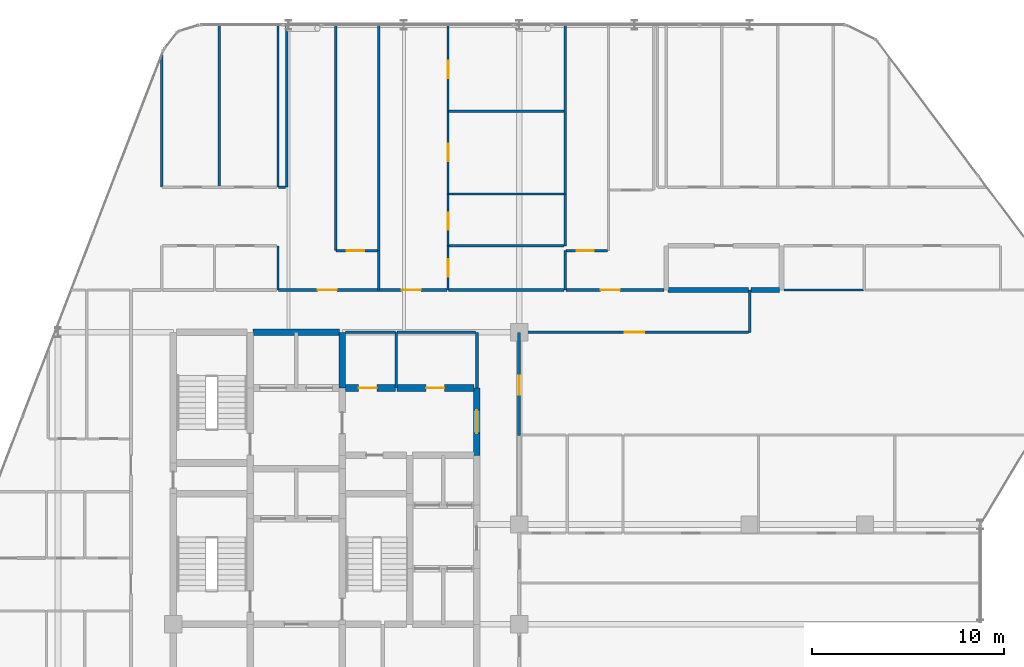
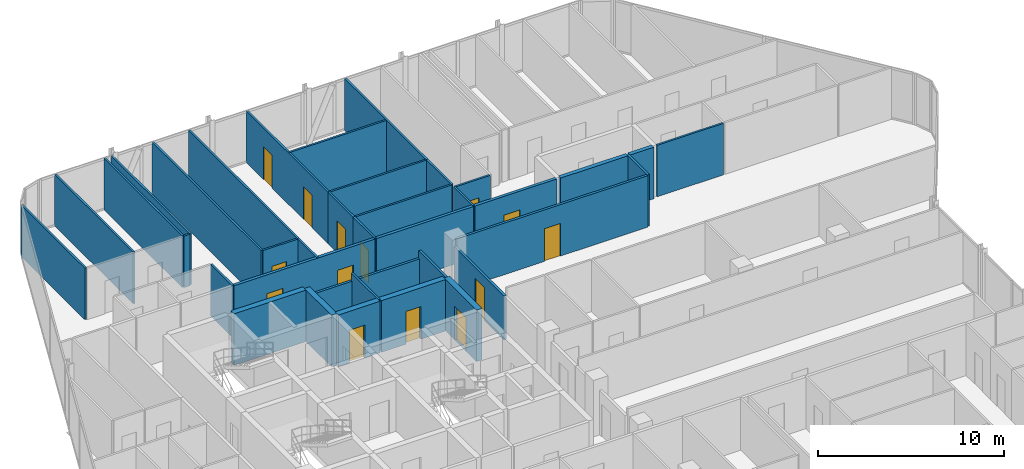
# One storey, part 29 of 31: 38 walls, 14 doors, 14 openings.
"""IFC4 building model written with IfcOpenShell, lengths in metres."""

from ifc_helpers import new_model, si_unit, direction, frame, frame_2d, origin, place, context, subcontext, project, spatial, rectangle, extrude, material, layer, layer_set, type_object, element, fill, save


model = new_model("IFC4")

# Units and contexts
model_context = context("Model", 3, precision=1e-05, world=origin(), true_north=direction((0.0, 1.0)))
body_context = subcontext(model_context, "Body", "Model", "MODEL_VIEW")
ifc_project = project(units=[si_unit("LENGTHUNIT", "METRE"), si_unit("AREAUNIT", "SQUARE_METRE"), si_unit("VOLUMEUNIT", "CUBIC_METRE"), si_unit("PLANEANGLEUNIT", "RADIAN"), si_unit("MASSUNIT", "GRAM", prefix="KILO")], contexts=[model_context])

# Site, building, storey
site_placement = place(None, origin())
site = spatial("IfcSite", under=ifc_project, at=site_placement, CompositionType="ELEMENT")
building_placement = place(site_placement, origin())
building = spatial("IfcBuilding", under=site, at=building_placement, Name="Keshet Zoharim Tower", CompositionType="ELEMENT")
storey_placement = place(building_placement, frame((0.0, 0.0, 129.800048828125)))
storey = spatial("IfcBuildingStorey", under=building, at=storey_placement, Name="L31", CompositionType="ELEMENT", Elevation=129.800048828125)

# Wall
ifc_material_1 = material(Name="Gypsum Plasterboard", Category="gypsum")
ifc_layer_1 = layer(ifc_material_1, 0.14990234375)
ifc_layer_set_1 = layer_set([ifc_layer_1], Name="Gypsum Plasterboard")
wall_type_1 = type_object("IfcWallType", Name="WL-CLIN-150", PredefinedType="STANDARD", material=ifc_layer_set_1)
wall_1_placement = place(storey_placement, frame((30.800048828125, 35.0, 0.0), z_axis=(0.0, 0.0, 1.0), x_axis=(0.0, 1.0, 0.0)))
element("IfcWall", 1, at=wall_1_placement, inside=storey, type_object=wall_type_1, Name="L31 Interior Wall 063", PredefinedType="STANDARD", context=body_context, shape_type="SweptSolid", body=[
    extrude(rectangle(XDim=2.89990234375, YDim=0.14990234375, at=frame_2d((1.449951171875, 0.0))), origin(), (0.0, 0.0, 1.0), 3.385009765625),
])

# Wall, opening, door
wall_2_placement = place(storey_placement, frame((33.0, 32.5400390625, 0.0), z_axis=(0.0, 0.0, 1.0), x_axis=(0.0, 1.0, 0.0)))
wall_2 = element("IfcWall", 2, at=wall_2_placement, inside=storey, type_object=wall_type_1, Name="L31 Interior Wall 070", PredefinedType="STANDARD", context=body_context, shape_type="SweptSolid", body=[
    extrude(rectangle(XDim=5.35986328125, YDim=0.14990234375, at=frame_2d((2.679931640625, 0.0))), origin(), (0.0, 0.0, 1.0), 2.885009765625),
])
opening_1_placement = place(wall_2_placement, frame((2.10888671875, 0.0, 0.0)))
opening_1 = element("IfcOpeningElement", 3, at=opening_1_placement, cuts=wall_2, Name="Opening D-F310", PredefinedType="OPENING", context=body_context, shape_type="SweptSolid", body=[
    extrude(rectangle(XDim=1.0, YDim=2.14990234375, at=frame_2d((0.5, 1.074951171875))), frame((0.0, 0.0849609375, 0.0), z_axis=(0.0, -1.0, 0.0), x_axis=(1.0, 0.0, 0.0)), (0.0, 0.0, 1.0), 0.169921875),
])
ifc_material_2 = material(Name="Hardwood Timber", Category="wood")
door_type_1 = type_object("IfcDoorType", Name="DR-FD30-100", OperationType="NOTDEFINED", PredefinedType="DOOR", material=ifc_material_2)
door_1_placement = place(opening_1_placement, origin())
door_1 = element("IfcDoor", 4, at=door_1_placement, inside=storey, type_object=door_type_1, Name="L31 North East Residents Services Suite Door 2", OperationType="SINGLE_SWING_LEFT", OverallHeight=2.14990234375, OverallWidth=1.0, PredefinedType="DOOR", context=body_context, shape_type="SweptSolid", body=[
    extrude(rectangle(XDim=1.0, YDim=2.14990234375, at=frame_2d((0.5, 1.074951171875))), frame((0.0, 0.02490234375, 0.0), z_axis=(0.0, -1.0, 0.0), x_axis=(1.0, 0.0, 0.0)), (0.0, 0.0, 1.0), 0.050048828125),
])
fill(opening_1, door_1)

# Walls
wall_3_placement = place(storey_placement, frame((45.0, 37.89990234375, 0.0), z_axis=(0.0, 0.0, 1.0), x_axis=(0.0, 1.0, 0.0)))
element("IfcWall", 5, at=wall_3_placement, inside=storey, type_object=wall_type_1, Name="L31 Interior Wall 091", PredefinedType="STANDARD", context=body_context, shape_type="SweptSolid", body=[
    extrude(rectangle(XDim=2.2001953125, YDim=0.14990234375, at=frame_2d((1.10009765625, 0.0))), origin(), (0.0, 0.0, 1.0), 3.385009765625),
])
wall_4_placement = place(storey_placement, frame((23.9599609375, 37.89990234375, 0.0), z_axis=(0.0, 0.0, 1.0), x_axis=(1.0, 0.0, 0.0)))
element("IfcWall", 6, at=wall_4_placement, inside=storey, type_object=wall_type_1, Name="L31 Interior Wall 179", PredefinedType="STANDARD", context=body_context, shape_type="SweptSolid", body=[
    extrude(rectangle(XDim=2.594970703125, YDim=0.14990234375, at=frame_2d((1.29736328125, 0.0))), origin(), (0.0, 0.0, 1.0), 2.885009765625),
])
wall_5_placement = place(storey_placement, frame((26.64501953125, 37.89990234375, 0.0), z_axis=(0.0, 0.0, 1.0), x_axis=(1.0, 0.0, 0.0)))
element("IfcWall", 7, at=wall_5_placement, inside=storey, type_object=wall_type_1, Name="L31 Interior Wall 180", PredefinedType="STANDARD", context=body_context, shape_type="SweptSolid", body=[
    extrude(rectangle(XDim=4.094970703125, YDim=0.14990234375, at=frame_2d((2.04736328125, 0.0))), origin(), (0.0, 0.0, 1.0), 2.885009765625),
])

# Wall, opening, door
wall_6_placement = place(storey_placement, frame((33.06005859375, 37.89990234375, 0.0), z_axis=(0.0, 0.0, 1.0), x_axis=(1.0, 0.0, 0.0)))
wall_6 = element("IfcWall", 8, at=wall_6_placement, inside=storey, type_object=wall_type_1, Name="L31 Interior Wall 181", PredefinedType="STANDARD", context=body_context, shape_type="SweptSolid", body=[
    extrude(rectangle(XDim=11.87890625, YDim=0.14990234375, at=frame_2d((5.939453125, 0.0))), origin(), (0.0, 0.0, 1.0), 3.385009765625),
])
opening_2_placement = place(wall_6_placement, frame((5.43896484375, 0.0, 0.0)))
opening_2 = element("IfcOpeningElement", 9, at=opening_2_placement, cuts=wall_6, Name="Opening D-F310", PredefinedType="OPENING", context=body_context, shape_type="SweptSolid", body=[
    extrude(rectangle(XDim=1.0, YDim=2.14990234375, at=frame_2d((0.5, 1.074951171875))), frame((0.0, 0.0849609375, 0.0), z_axis=(0.0, -1.0, 0.0), x_axis=(1.0, 0.0, 0.0)), (0.0, 0.0, 1.0), 0.169921875),
])
door_2_placement = place(opening_2_placement, origin())
door_2 = element("IfcDoor", 10, at=door_2_placement, inside=storey, type_object=door_type_1, Name="L31 North East Residents Services Suite Door 1", OperationType="SINGLE_SWING_RIGHT", OverallHeight=2.14990234375, OverallWidth=1.0, PredefinedType="DOOR", context=body_context, shape_type="SweptSolid", body=[
    extrude(rectangle(XDim=1.0, YDim=2.14990234375, at=frame_2d((0.5, 1.074951171875))), frame((0.0, 0.02490234375, 0.0), z_axis=(0.0, -1.0, 0.0), x_axis=(1.0, 0.0, 0.0)), (0.0, 0.0, 1.0), 0.050048828125),
])
fill(opening_2, door_2)

# Wall
ifc_material_3 = material(Name="Concrete C60/75", Category="concrete")
ifc_layer_2 = layer(ifc_material_3, 0.35009765625)
ifc_layer_set_2 = layer_set([ifc_layer_2], Name="Concrete C60/75")
wall_type_2 = type_object("IfcWallType", Name="WL-CORE-350", PredefinedType="SHEAR", material=ifc_layer_set_2)
wall_7_placement = place(storey_placement, frame((23.800048828125, 35.0, 0.0), z_axis=(0.0, 0.0, 1.0), x_axis=(0.0, 1.0, 0.0)))
element("IfcWall", 11, at=wall_7_placement, inside=storey, type_object=wall_type_2, Name="L31 Core Shear Wall 043", PredefinedType="SHEAR", context=body_context, shape_type="SweptSolid", body=[
    extrude(rectangle(XDim=2.89990234375, YDim=0.35009765625, at=frame_2d((1.449951171875, 0.0))), origin(), (0.0, 0.0, 1.0), 3.385009765625),
])

# Wall, opening, door
wall_8_placement = place(storey_placement, frame((30.800048828125, 31.5, 0.0), z_axis=(0.0, 0.0, 1.0), x_axis=(0.0, 1.0, 0.0)))
wall_8 = element("IfcWall", 12, at=wall_8_placement, inside=storey, type_object=wall_type_2, Name="L31 Core Shear Wall 062", PredefinedType="SHEAR", context=body_context, shape_type="SweptSolid", body=[
    extrude(rectangle(XDim=3.5, YDim=0.35009765625, at=frame_2d((1.75, 0.0))), origin(), (0.0, 0.0, 1.0), 3.385009765625),
])
opening_3_placement = place(wall_8_placement, frame((1.14990234375, 0.0, 0.0)))
opening_3 = element("IfcOpeningElement", 13, at=opening_3_placement, cuts=wall_8, Name="Opening D-F612", PredefinedType="OPENING", context=body_context, shape_type="SweptSolid", body=[
    extrude(rectangle(XDim=1.199951171875, YDim=2.199951171875, at=frame_2d((0.60009765625, 1.10009765625))), frame((0.0, 0.18505859375, 0.0), z_axis=(0.0, -1.0, 0.0), x_axis=(1.0, 0.0, 0.0)), (0.0, 0.0, 1.0), 0.3701171875),
])
door_type_2 = type_object("IfcDoorType", Name="DR-FD60-120", OperationType="NOTDEFINED", PredefinedType="DOOR", material=ifc_material_2)
door_3_placement = place(opening_3_placement, origin())
door_3 = element("IfcDoor", 14, at=door_3_placement, inside=storey, type_object=door_type_2, Name="L31 North Lift Lobby East Fire Door", OperationType="SINGLE_SWING_RIGHT", OverallHeight=2.199951171875, OverallWidth=1.199951171875, PredefinedType="DOOR", context=body_context, shape_type="SweptSolid", body=[
    extrude(rectangle(XDim=1.199951171875, YDim=2.199951171875, at=frame_2d((0.60009765625, 1.10009765625))), frame((0.0, 0.02490234375, 0.0), z_axis=(0.0, -1.0, 0.0), x_axis=(1.0, 0.0, 0.0)), (0.0, 0.0, 1.0), 0.050048828125),
])
fill(opening_3, door_3)

wall_9_placement = place(storey_placement, frame((23.9599609375, 35.0, 0.0), z_axis=(0.0, 0.0, 1.0), x_axis=(1.0, 0.0, 0.0)))
wall_9 = element("IfcWall", 15, at=wall_9_placement, inside=storey, type_object=wall_type_2, Name="L31 Core Shear Wall 175", PredefinedType="SHEAR", context=body_context, shape_type="SweptSolid", body=[
    extrude(rectangle(XDim=2.594970703125, YDim=0.35009765625, at=frame_2d((1.29736328125, 0.0))), origin(), (0.0, 0.0, 1.0), 3.385009765625),
])
opening_4_placement = place(wall_9_placement, frame((0.69091796875, 0.0, 0.0)))
opening_4 = element("IfcOpeningElement", 16, at=opening_4_placement, cuts=wall_9, Name="Opening D-F695", PredefinedType="OPENING", context=body_context, shape_type="SweptSolid", body=[
    extrude(rectangle(XDim=0.949951171875, YDim=2.14990234375, at=frame_2d((0.47509765625, 1.074951171875))), frame((0.0, 0.18505859375, 0.0), z_axis=(0.0, -1.0, 0.0), x_axis=(1.0, 0.0, 0.0)), (0.0, 0.0, 1.0), 0.3701171875),
])
door_type_3 = type_object("IfcDoorType", Name="DR-FD60-095", OperationType="NOTDEFINED", PredefinedType="DOOR", material=ifc_material_2)
door_4_placement = place(opening_4_placement, frame((0.949951171875, 0.0, 0.0), z_axis=(0.0, 0.0, 1.0), x_axis=(-1.0, 0.0, 0.0)))
door_4 = element("IfcDoor", 17, at=door_4_placement, inside=storey, type_object=door_type_3, Name="L31 Laundry Room Door", OperationType="SINGLE_SWING_RIGHT", OverallHeight=2.14990234375, OverallWidth=0.949951171875, PredefinedType="DOOR", context=body_context, shape_type="SweptSolid", body=[
    extrude(rectangle(XDim=0.949951171875, YDim=2.14990234375, at=frame_2d((0.47509765625, 1.074951171875))), frame((0.0, 0.02490234375, 0.0), z_axis=(0.0, -1.0, 0.0), x_axis=(1.0, 0.0, 0.0)), (0.0, 0.0, 1.0), 0.050048828125),
])
fill(opening_4, door_4)

wall_10_placement = place(storey_placement, frame((26.64501953125, 35.0, 0.0), z_axis=(0.0, 0.0, 1.0), x_axis=(1.0, 0.0, 0.0)))
wall_10 = element("IfcWall", 18, at=wall_10_placement, inside=storey, type_object=wall_type_2, Name="L31 Core Shear Wall 176", PredefinedType="SHEAR", context=body_context, shape_type="SweptSolid", body=[
    extrude(rectangle(XDim=3.994873046875, YDim=0.35009765625, at=frame_2d((1.99755859375, 0.0))), origin(), (0.0, 0.0, 1.0), 3.385009765625),
])
opening_5_placement = place(wall_10_placement, frame((1.508056640625, 0.0, 0.0)))
opening_5 = element("IfcOpeningElement", 19, at=opening_5_placement, cuts=wall_10, Name="Opening D-F695", PredefinedType="OPENING", context=body_context, shape_type="SweptSolid", body=[
    extrude(rectangle(XDim=0.949951171875, YDim=2.14990234375, at=frame_2d((0.47509765625, 1.074951171875))), frame((0.0, 0.18505859375, 0.0), z_axis=(0.0, -1.0, 0.0), x_axis=(1.0, 0.0, 0.0)), (0.0, 0.0, 1.0), 0.3701171875),
])
door_5_placement = place(opening_5_placement, frame((0.949951171875, 0.0, 0.0), z_axis=(0.0, 0.0, 1.0), x_axis=(-1.0, 0.0, 0.0)))
door_5 = element("IfcDoor", 20, at=door_5_placement, inside=storey, type_object=door_type_3, Name="L31 Quiet Study Room Door", OperationType="SINGLE_SWING_LEFT", OverallHeight=2.14990234375, OverallWidth=0.949951171875, PredefinedType="DOOR", context=body_context, shape_type="SweptSolid", body=[
    extrude(rectangle(XDim=0.949951171875, YDim=2.14990234375, at=frame_2d((0.47509765625, 1.074951171875))), frame((0.0, 0.02490234375, 0.0), z_axis=(0.0, -1.0, 0.0), x_axis=(1.0, 0.0, 0.0)), (0.0, 0.0, 1.0), 0.050048828125),
])
fill(opening_5, door_5)

# Wall
wall_11_placement = place(storey_placement, frame((19.159912109375, 37.89990234375, 0.0), z_axis=(0.0, 0.0, 1.0), x_axis=(1.0, 0.0, 0.0)))
element("IfcWall", 21, at=wall_11_placement, inside=storey, type_object=wall_type_2, Name="L31 Core Shear Wall 178", PredefinedType="SHEAR", context=body_context, shape_type="SweptSolid", body=[
    extrude(rectangle(XDim=4.47998046875, YDim=0.35009765625, at=frame_2d((2.239990234375, 0.0))), origin(), (0.0, 0.0, 1.0), 3.385009765625),
])

# Wall, openings, doors
ifc_layer_3 = layer(ifc_material_1, 0.179931640625)
ifc_layer_set_3 = layer_set([ifc_layer_3], Name="Gypsum Plasterboard")
wall_type_3 = type_object("IfcWallType", Name="WL-CORR-180", PredefinedType="STANDARD", material=ifc_layer_set_3)
wall_12_placement = place(storey_placement, frame((20.47509765625, 40.10009765625, 0.0), z_axis=(0.0, 0.0, 1.0), x_axis=(1.0, 0.0, 0.0)))
wall_12 = element("IfcWall", 22, at=wall_12_placement, inside=storey, type_object=wall_type_3, Name="L31 Interior Wall 187", PredefinedType="STANDARD", context=body_context, shape_type="SweptSolid", body=[
    extrude(rectangle(XDim=8.760009765625, YDim=0.179931640625, at=frame_2d((4.3798828125, 0.0))), origin(), (0.0, 0.0, 1.0), 3.385009765625),
])
opening_6_placement = place(wall_12_placement, frame((2.034912109375, 0.0, 0.0)))
opening_6 = element("IfcOpeningElement", 23, at=opening_6_placement, cuts=wall_12, Name="Opening D-F310", PredefinedType="OPENING", context=body_context, shape_type="SweptSolid", body=[
    extrude(rectangle(XDim=1.0, YDim=2.14990234375, at=frame_2d((0.5, 1.074951171875))), frame((0.0, 0.10009765625, 0.0), z_axis=(0.0, -1.0, 0.0), x_axis=(1.0, 0.0, 0.0)), (0.0, 0.0, 1.0), 0.199951171875),
])
opening_7_placement = place(wall_12_placement, frame((6.408935546875, 0.0, 0.0)))
opening_7 = element("IfcOpeningElement", 24, at=opening_7_placement, cuts=wall_12, Name="Opening D-F310", PredefinedType="OPENING", context=body_context, shape_type="SweptSolid", body=[
    extrude(rectangle(XDim=1.0, YDim=2.14990234375, at=frame_2d((0.5, 1.074951171875))), frame((0.0, 0.10009765625, 0.0), z_axis=(0.0, -1.0, 0.0), x_axis=(1.0, 0.0, 0.0)), (0.0, 0.0, 1.0), 0.199951171875),
])
door_6_placement = place(opening_6_placement, origin())
door_6 = element("IfcDoor", 25, at=door_6_placement, inside=storey, type_object=door_type_1, Name="Apartment 3105 Entrance Door", OperationType="SINGLE_SWING_LEFT", OverallHeight=2.14990234375, OverallWidth=1.0, PredefinedType="DOOR", context=body_context, shape_type="SweptSolid", body=[
    extrude(rectangle(XDim=1.0, YDim=2.14990234375, at=frame_2d((0.5, 1.074951171875))), frame((0.0, 0.02490234375, 0.0), z_axis=(0.0, -1.0, 0.0), x_axis=(1.0, 0.0, 0.0)), (0.0, 0.0, 1.0), 0.050048828125),
])
fill(opening_6, door_6)
door_7_placement = place(opening_7_placement, origin())
door_7 = element("IfcDoor", 26, at=door_7_placement, inside=storey, type_object=door_type_1, Name="Apartment 3106 Entrance Door", OperationType="SINGLE_SWING_RIGHT", OverallHeight=2.14990234375, OverallWidth=1.0, PredefinedType="DOOR", context=body_context, shape_type="SweptSolid", body=[
    extrude(rectangle(XDim=1.0, YDim=2.14990234375, at=frame_2d((0.5, 1.074951171875))), frame((0.0, 0.02490234375, 0.0), z_axis=(0.0, -1.0, 0.0), x_axis=(1.0, 0.0, 0.0)), (0.0, 0.0, 1.0), 0.050048828125),
])
fill(opening_7, door_7)

# Wall
wall_13_placement = place(storey_placement, frame((29.324951171875, 40.10009765625, 0.0), z_axis=(0.0, 0.0, 1.0), x_axis=(1.0, 0.0, 0.0)))
element("IfcWall", 27, at=wall_13_placement, inside=storey, type_object=wall_type_3, Name="L31 Interior Wall 188", PredefinedType="STANDARD", context=body_context, shape_type="SweptSolid", body=[
    extrude(rectangle(XDim=6.02001953125, YDim=0.179931640625, at=frame_2d((3.010009765625, 0.0))), origin(), (0.0, 0.0, 1.0), 3.385009765625),
])

# Wall, opening, door
wall_14_placement = place(storey_placement, frame((35.43505859375, 40.10009765625, 0.0), z_axis=(0.0, 0.0, 1.0), x_axis=(1.0, 0.0, 0.0)))
wall_14 = element("IfcWall", 28, at=wall_14_placement, inside=storey, type_object=wall_type_3, Name="L31 Interior Wall 189", PredefinedType="STANDARD", context=body_context, shape_type="SweptSolid", body=[
    extrude(rectangle(XDim=5.094970703125, YDim=0.179931640625, at=frame_2d((2.54736328125, 0.0))), origin(), (0.0, 0.0, 1.0), 3.385009765625),
])
opening_8_placement = place(wall_14_placement, frame((1.806884765625, 0.0, 0.0)))
opening_8 = element("IfcOpeningElement", 29, at=opening_8_placement, cuts=wall_14, Name="Opening D-F310", PredefinedType="OPENING", context=body_context, shape_type="SweptSolid", body=[
    extrude(rectangle(XDim=1.0, YDim=2.14990234375, at=frame_2d((0.5, 1.074951171875))), frame((0.0, 0.10009765625, 0.0), z_axis=(0.0, -1.0, 0.0), x_axis=(1.0, 0.0, 0.0)), (0.0, 0.0, 1.0), 0.199951171875),
])
door_8_placement = place(opening_8_placement, origin())
door_8 = element("IfcDoor", 30, at=door_8_placement, inside=storey, type_object=door_type_1, Name="Apartment 3107 Entrance Door", OperationType="SINGLE_SWING_LEFT", OverallHeight=2.14990234375, OverallWidth=1.0, PredefinedType="DOOR", context=body_context, shape_type="SweptSolid", body=[
    extrude(rectangle(XDim=1.0, YDim=2.14990234375, at=frame_2d((0.5, 1.074951171875))), frame((0.0, 0.02490234375, 0.0), z_axis=(0.0, -1.0, 0.0), x_axis=(1.0, 0.0, 0.0)), (0.0, 0.0, 1.0), 0.050048828125),
])
fill(opening_8, door_8)

# Walls
ifc_material_4 = material(Name="Concrete C50/60", Category="concrete")
ifc_layer_4 = layer(ifc_material_4, 0.25)
ifc_layer_set_4 = layer_set([ifc_layer_4], Name="Concrete C50/60")
wall_type_4 = type_object("IfcWallType", Name="WL-MAMAD-250", PredefinedType="STANDARD", material=ifc_layer_set_4)
wall_15_placement = place(storey_placement, frame((40.75, 40.10009765625, 0.0), z_axis=(0.0, 0.0, 1.0), x_axis=(1.0, 0.0, 0.0)))
element("IfcWall", 31, at=wall_15_placement, inside=storey, type_object=wall_type_4, Name="L31 Interior Wall 190", PredefinedType="STANDARD", context=body_context, shape_type="SweptSolid", body=[
    extrude(rectangle(XDim=4.18994140625, YDim=0.25, at=frame_2d((2.094970703125, 0.0))), origin(), (0.0, 0.0, 1.0), 3.385009765625),
])
wall_16_placement = place(storey_placement, frame((45.06005859375, 40.10009765625, 0.0), z_axis=(0.0, 0.0, 1.0), x_axis=(1.0, 0.0, 0.0)))
element("IfcWall", 32, at=wall_16_placement, inside=storey, type_object=wall_type_4, Name="L31 Interior Wall 191", PredefinedType="STANDARD", context=body_context, shape_type="SweptSolid", body=[
    extrude(rectangle(XDim=1.489990234375, YDim=0.25, at=frame_2d((0.7451171875, 0.0))), origin(), (0.0, 0.0, 1.0), 3.385009765625),
])
ifc_layer_5 = layer(ifc_material_1, 0.1201171875)
ifc_layer_set_5 = layer_set([ifc_layer_5], Name="Gypsum Plasterboard")
wall_type_5 = type_object("IfcWallType", Name="WL-PART-120", PredefinedType="PARTITIONING", material=ifc_layer_set_5)
wall_17_placement = place(storey_placement, frame((14.39990234375, 45.449951171875, 0.0), z_axis=(0.0, 0.0, 1.0), x_axis=(0.0, 1.0, 0.0)))
element("IfcWall", 33, at=wall_17_placement, inside=storey, type_object=wall_type_5, Name="L31 Interior Wall 014", PredefinedType="PARTITIONING", context=body_context, shape_type="SweptSolid", body=[
    extrude(rectangle(XDim=6.880126953125, YDim=0.1201171875, at=frame_2d((3.43994140625, 0.0))), origin(), (0.0, 0.0, 1.0), 3.385009765625),
])
for number, where, z_axis, x_axis, name in (
    (34, (17.39990234375, 45.449951171875, 0.0), (0.0, 0.0, 1.0), (0.0, 1.0, 0.0), "L31 Interior Wall 022"),
    (35, (20.449951171875, 45.449951171875, 0.0), (0.0, 0.0, 1.0), (0.0, 1.0, 0.0), "L31 Interior Wall 031"),
    (36, (20.89990234375, 45.449951171875, 0.0), (0.0, 0.0, 1.0), (0.0, 1.0, 0.0), "L31 Interior Wall 032"),
):
    element("IfcWall", number, at=place(storey_placement, frame(where, z_axis=z_axis, x_axis=x_axis)), inside=storey, type_object=wall_type_5, Name=name, PredefinedType="PARTITIONING", context=body_context, shape_type="SweptSolid", body=[
        extrude(rectangle(XDim=8.43994140625, YDim=0.1201171875, at=frame_2d((4.219970703125, 0.0))), origin(), (0.0, 0.0, 1.0), 3.385009765625),
    ])
wall_18_placement = place(storey_placement, frame((23.449951171875, 42.14990234375, 0.0), z_axis=(0.0, 0.0, 1.0), x_axis=(0.0, 1.0, 0.0)))
element("IfcWall", 37, at=wall_18_placement, inside=storey, type_object=wall_type_5, Name="L31 Interior Wall 036", PredefinedType="PARTITIONING", context=body_context, shape_type="SweptSolid", body=[
    extrude(rectangle(XDim=11.739990234375, YDim=0.1201171875, at=frame_2d((5.8701171875, 0.0))), origin(), (0.0, 0.0, 1.0), 3.385009765625),
])
wall_19_placement = place(storey_placement, frame((25.699951171875, 40.10009765625, 0.0), z_axis=(0.0, 0.0, 1.0), x_axis=(0.0, 1.0, 0.0)))
element("IfcWall", 38, at=wall_19_placement, inside=storey, type_object=wall_type_5, Name="L31 Interior Wall 044", PredefinedType="PARTITIONING", context=body_context, shape_type="SweptSolid", body=[
    extrude(rectangle(XDim=2.0498046875, YDim=0.1201171875, at=frame_2d((1.02490234375, 0.0))), origin(), (0.0, 0.0, 1.0), 3.385009765625),
])
wall_20_placement = place(storey_placement, frame((25.699951171875, 42.14990234375, 0.0), z_axis=(0.0, 0.0, 1.0), x_axis=(0.0, 1.0, 0.0)))
element("IfcWall", 39, at=wall_20_placement, inside=storey, type_object=wall_type_5, Name="L31 Interior Wall 045", PredefinedType="PARTITIONING", context=body_context, shape_type="SweptSolid", body=[
    extrude(rectangle(XDim=11.739990234375, YDim=0.1201171875, at=frame_2d((5.8701171875, 0.0))), origin(), (0.0, 0.0, 1.0), 3.385009765625),
])
wall_21_placement = place(storey_placement, frame((26.60009765625, 35.0, 0.0), z_axis=(0.0, 0.0, 1.0), x_axis=(0.0, 1.0, 0.0)))
element("IfcWall", 40, at=wall_21_placement, inside=storey, type_object=wall_type_5, Name="L31 Interior Wall 047", PredefinedType="PARTITIONING", context=body_context, shape_type="SweptSolid", body=[
    extrude(rectangle(XDim=2.89990234375, YDim=0.1201171875, at=frame_2d((1.449951171875, 0.0))), origin(), (0.0, 0.0, 1.0), 3.385009765625),
])

# Wall, opening, door
wall_22_placement = place(storey_placement, frame((29.300048828125, 40.10009765625, 0.0), z_axis=(0.0, 0.0, 1.0), x_axis=(0.0, 1.0, 0.0)))
wall_22 = element("IfcWall", 41, at=wall_22_placement, inside=storey, type_object=wall_type_5, Name="L31 Interior Wall 055", PredefinedType="PARTITIONING", context=body_context, shape_type="SweptSolid", body=[
    extrude(rectangle(XDim=2.2998046875, YDim=0.1201171875, at=frame_2d((1.14990234375, 0.0))), origin(), (0.0, 0.0, 1.0), 3.385009765625),
])
opening_9_placement = place(wall_22_placement, frame((0.699951171875, 0.0, 0.0)))
opening_9 = element("IfcOpeningElement", 42, at=opening_9_placement, cuts=wall_22, Name="Opening D-IN90", PredefinedType="OPENING", context=body_context, shape_type="SweptSolid", body=[
    extrude(rectangle(XDim=0.89990234375, YDim=2.14990234375, at=frame_2d((0.449951171875, 1.074951171875))), frame((0.0, 0.070068359375, 0.0), z_axis=(0.0, -1.0, 0.0), x_axis=(1.0, 0.0, 0.0)), (0.0, 0.0, 1.0), 0.14013671875),
])
door_type_4 = type_object("IfcDoorType", Name="DR-INT-090", OperationType="NOTDEFINED", PredefinedType="DOOR", material=ifc_material_2)
door_9_placement = place(opening_9_placement, origin())
door_9 = element("IfcDoor", 43, at=door_9_placement, inside=storey, type_object=door_type_4, Name="Apartment 3106 Kitchen Door", OperationType="SINGLE_SWING_LEFT", OverallHeight=2.14990234375, OverallWidth=0.89990234375, PredefinedType="DOOR", context=body_context, shape_type="SweptSolid", body=[
    extrude(rectangle(XDim=0.89990234375, YDim=2.14990234375, at=frame_2d((0.449951171875, 1.074951171875))), frame((0.0, 0.02490234375, 0.0), z_axis=(0.0, -1.0, 0.0), x_axis=(1.0, 0.0, 0.0)), (0.0, 0.0, 1.0), 0.050048828125),
])
fill(opening_9, door_9)

# Wall, openings, doors
wall_23_placement = place(storey_placement, frame((29.300048828125, 45.10009765625, 0.0), z_axis=(0.0, 0.0, 1.0), x_axis=(0.0, 1.0, 0.0)))
wall_23 = element("IfcWall", 44, at=wall_23_placement, inside=storey, type_object=wall_type_5, Name="L31 Interior Wall 057", PredefinedType="PARTITIONING", context=body_context, shape_type="SweptSolid", body=[
    extrude(rectangle(XDim=8.789794921875, YDim=0.1201171875, at=frame_2d((4.39501953125, 0.0))), origin(), (0.0, 0.0, 1.0), 3.385009765625),
])
opening_10_placement = place(wall_23_placement, frame((1.7119140625, 0.0, 0.0)))
opening_10 = element("IfcOpeningElement", 45, at=opening_10_placement, cuts=wall_23, Name="Opening D-IN90", PredefinedType="OPENING", context=body_context, shape_type="SweptSolid", body=[
    extrude(rectangle(XDim=0.89990234375, YDim=2.14990234375, at=frame_2d((0.449951171875, 1.074951171875))), frame((0.0, 0.070068359375, 0.0), z_axis=(0.0, -1.0, 0.0), x_axis=(1.0, 0.0, 0.0)), (0.0, 0.0, 1.0), 0.14013671875),
])
opening_11_placement = place(wall_23_placement, frame((6.030029296875, 0.0, 0.0)))
opening_11 = element("IfcOpeningElement", 46, at=opening_11_placement, cuts=wall_23, Name="Opening D-IN90", PredefinedType="OPENING", context=body_context, shape_type="SweptSolid", body=[
    extrude(rectangle(XDim=0.89990234375, YDim=2.14990234375, at=frame_2d((0.449951171875, 1.074951171875))), frame((0.0, 0.070068359375, 0.0), z_axis=(0.0, -1.0, 0.0), x_axis=(1.0, 0.0, 0.0)), (0.0, 0.0, 1.0), 0.14013671875),
])
door_10_placement = place(opening_10_placement, origin())
door_10 = element("IfcDoor", 47, at=door_10_placement, inside=storey, type_object=door_type_4, Name="Apartment 3106 Bedroom 1 Door", OperationType="SINGLE_SWING_LEFT", OverallHeight=2.14990234375, OverallWidth=0.89990234375, PredefinedType="DOOR", context=body_context, shape_type="SweptSolid", body=[
    extrude(rectangle(XDim=0.89990234375, YDim=2.14990234375, at=frame_2d((0.449951171875, 1.074951171875))), frame((0.0, 0.02490234375, 0.0), z_axis=(0.0, -1.0, 0.0), x_axis=(1.0, 0.0, 0.0)), (0.0, 0.0, 1.0), 0.050048828125),
])
fill(opening_10, door_10)
door_11_placement = place(opening_11_placement, origin())
door_11 = element("IfcDoor", 48, at=door_11_placement, inside=storey, type_object=door_type_4, Name="Apartment 3106 Bedroom 2 Door", OperationType="SINGLE_SWING_RIGHT", OverallHeight=2.14990234375, OverallWidth=0.89990234375, PredefinedType="DOOR", context=body_context, shape_type="SweptSolid", body=[
    extrude(rectangle(XDim=0.89990234375, YDim=2.14990234375, at=frame_2d((0.449951171875, 1.074951171875))), frame((0.0, 0.02490234375, 0.0), z_axis=(0.0, -1.0, 0.0), x_axis=(1.0, 0.0, 0.0)), (0.0, 0.0, 1.0), 0.050048828125),
])
fill(opening_11, door_11)

# Walls
wall_24_placement = place(storey_placement, frame((35.39990234375, 40.10009765625, 0.0), z_axis=(0.0, 0.0, 1.0), x_axis=(0.0, 1.0, 0.0)))
element("IfcWall", 49, at=wall_24_placement, inside=storey, type_object=wall_type_5, Name="L31 Interior Wall 072", PredefinedType="PARTITIONING", context=body_context, shape_type="SweptSolid", body=[
    extrude(rectangle(XDim=2.0498046875, YDim=0.1201171875, at=frame_2d((1.02490234375, 0.0))), origin(), (0.0, 0.0, 1.0), 3.385009765625),
])
wall_25_placement = place(storey_placement, frame((35.39990234375, 45.10009765625, 0.0), z_axis=(0.0, 0.0, 1.0), x_axis=(0.0, 1.0, 0.0)))
element("IfcWall", 50, at=wall_25_placement, inside=storey, type_object=wall_type_5, Name="L31 Interior Wall 074", PredefinedType="PARTITIONING", context=body_context, shape_type="SweptSolid", body=[
    extrude(rectangle(XDim=8.789794921875, YDim=0.1201171875, at=frame_2d((4.39501953125, 0.0))), origin(), (0.0, 0.0, 1.0), 3.385009765625),
])

# Wall, opening, door
wall_26_placement = place(storey_placement, frame((23.47509765625, 42.14990234375, 0.0), z_axis=(0.0, 0.0, 1.0), x_axis=(1.0, 0.0, 0.0)))
wall_26 = element("IfcWall", 51, at=wall_26_placement, inside=storey, type_object=wall_type_5, Name="L31 Interior Wall 195", PredefinedType="PARTITIONING", context=body_context, shape_type="SweptSolid", body=[
    extrude(rectangle(XDim=2.159912109375, YDim=0.1201171875, at=frame_2d((1.080078125, 0.0))), origin(), (0.0, 0.0, 1.0), 3.385009765625),
])
opening_12_placement = place(wall_26_placement, frame((0.552978515625, 0.0, 0.0)))
opening_12 = element("IfcOpeningElement", 52, at=opening_12_placement, cuts=wall_26, Name="Opening D-IN90", PredefinedType="OPENING", context=body_context, shape_type="SweptSolid", body=[
    extrude(rectangle(XDim=0.89990234375, YDim=2.14990234375, at=frame_2d((0.449951171875, 1.074951171875))), frame((0.0, 0.070068359375, 0.0), z_axis=(0.0, -1.0, 0.0), x_axis=(1.0, 0.0, 0.0)), (0.0, 0.0, 1.0), 0.14013671875),
])
door_12_placement = place(opening_12_placement, origin())
door_12 = element("IfcDoor", 53, at=door_12_placement, inside=storey, type_object=door_type_4, Name="Apartment 3105 Formal Dining Room Door", OperationType="SINGLE_SWING_RIGHT", OverallHeight=2.14990234375, OverallWidth=0.89990234375, PredefinedType="DOOR", context=body_context, shape_type="SweptSolid", body=[
    extrude(rectangle(XDim=0.89990234375, YDim=2.14990234375, at=frame_2d((0.449951171875, 1.074951171875))), frame((0.0, 0.02490234375, 0.0), z_axis=(0.0, -1.0, 0.0), x_axis=(1.0, 0.0, 0.0)), (0.0, 0.0, 1.0), 0.050048828125),
])
fill(opening_12, door_12)

wall_27_placement = place(storey_placement, frame((35.43505859375, 42.14990234375, 0.0), z_axis=(0.0, 0.0, 1.0), x_axis=(1.0, 0.0, 0.0)))
wall_27 = element("IfcWall", 54, at=wall_27_placement, inside=storey, type_object=wall_type_5, Name="L31 Interior Wall 196", PredefinedType="PARTITIONING", context=body_context, shape_type="SweptSolid", body=[
    extrude(rectangle(XDim=2.159912109375, YDim=0.1201171875, at=frame_2d((1.080078125, 0.0))), origin(), (0.0, 0.0, 1.0), 3.385009765625),
])
opening_13_placement = place(wall_27_placement, frame((0.552978515625, 0.0, 0.0)))
opening_13 = element("IfcOpeningElement", 55, at=opening_13_placement, cuts=wall_27, Name="Opening D-IN90", PredefinedType="OPENING", context=body_context, shape_type="SweptSolid", body=[
    extrude(rectangle(XDim=0.89990234375, YDim=2.14990234375, at=frame_2d((0.449951171875, 1.074951171875))), frame((0.0, 0.070068359375, 0.0), z_axis=(0.0, -1.0, 0.0), x_axis=(1.0, 0.0, 0.0)), (0.0, 0.0, 1.0), 0.14013671875),
])
door_13_placement = place(opening_13_placement, origin())
door_13 = element("IfcDoor", 56, at=door_13_placement, inside=storey, type_object=door_type_4, Name="Apartment 3107 Formal Dining Room Door", OperationType="SINGLE_SWING_LEFT", OverallHeight=2.14990234375, OverallWidth=0.89990234375, PredefinedType="DOOR", context=body_context, shape_type="SweptSolid", body=[
    extrude(rectangle(XDim=0.89990234375, YDim=2.14990234375, at=frame_2d((0.449951171875, 1.074951171875))), frame((0.0, 0.02490234375, 0.0), z_axis=(0.0, -1.0, 0.0), x_axis=(1.0, 0.0, 0.0)), (0.0, 0.0, 1.0), 0.050048828125),
])
fill(opening_13, door_13)

# Walls
wall_28_placement = place(storey_placement, frame((20.47509765625, 45.449951171875, 0.0), z_axis=(0.0, 0.0, 1.0), x_axis=(1.0, 0.0, 0.0)))
element("IfcWall", 57, at=wall_28_placement, inside=storey, type_object=wall_type_5, Name="L31 Interior Wall 206", PredefinedType="PARTITIONING", context=body_context, shape_type="SweptSolid", body=[
    extrude(rectangle(XDim=0.35986328125, YDim=0.1201171875, at=frame_2d((0.179931640625, 0.0))), origin(), (0.0, 0.0, 1.0), 3.385009765625),
])
wall_29_placement = place(storey_placement, frame((29.324951171875, 49.39990234375, 0.0), z_axis=(0.0, 0.0, 1.0), x_axis=(1.0, 0.0, 0.0)))
element("IfcWall", 58, at=wall_29_placement, inside=storey, type_object=wall_type_5, Name="L31 Interior Wall 209", PredefinedType="PARTITIONING", context=body_context, shape_type="SweptSolid", body=[
    extrude(rectangle(XDim=6.02001953125, YDim=0.1201171875, at=frame_2d((3.010009765625, 0.0))), origin(), (0.0, 0.0, 1.0), 3.385009765625),
])
ifc_layer_6 = layer(ifc_material_1, 0.1201171875)
ifc_layer_set_6 = layer_set([ifc_layer_6], Name="Gypsum Plasterboard")
wall_type_6 = type_object("IfcWallType", Name="WL-WET-120", PredefinedType="PARTITIONING", material=ifc_layer_set_6)
wall_30_placement = place(storey_placement, frame((20.449951171875, 40.10009765625, 0.0), z_axis=(0.0, 0.0, 1.0), x_axis=(0.0, 1.0, 0.0)))
element("IfcWall", 59, at=wall_30_placement, inside=storey, type_object=wall_type_6, Name="L31 Interior Wall 030", PredefinedType="PARTITIONING", context=body_context, shape_type="SweptSolid", body=[
    extrude(rectangle(XDim=2.2998046875, YDim=0.1201171875, at=frame_2d((1.14990234375, 0.0))), origin(), (0.0, 0.0, 1.0), 3.385009765625),
])

# Wall, opening, door
wall_31_placement = place(storey_placement, frame((29.300048828125, 42.39990234375, 0.0), z_axis=(0.0, 0.0, 1.0), x_axis=(0.0, 1.0, 0.0)))
wall_31 = element("IfcWall", 60, at=wall_31_placement, inside=storey, type_object=wall_type_6, Name="L31 Interior Wall 056", PredefinedType="PARTITIONING", context=body_context, shape_type="SweptSolid", body=[
    extrude(rectangle(XDim=2.7001953125, YDim=0.1201171875, at=frame_2d((1.35009765625, 0.0))), origin(), (0.0, 0.0, 1.0), 3.385009765625),
])
opening_14_placement = place(wall_31_placement, frame((0.827880859375, 0.0, 0.0)))
opening_14 = element("IfcOpeningElement", 61, at=opening_14_placement, cuts=wall_31, Name="Opening D-WT90", PredefinedType="OPENING", context=body_context, shape_type="SweptSolid", body=[
    extrude(rectangle(XDim=0.89990234375, YDim=2.10009765625, at=frame_2d((0.449951171875, 1.050048828125))), frame((0.0, 0.070068359375, 0.0), z_axis=(0.0, -1.0, 0.0), x_axis=(1.0, 0.0, 0.0)), (0.0, 0.0, 1.0), 0.14013671875),
])
door_type_5 = type_object("IfcDoorType", Name="DR-WET-090", OperationType="NOTDEFINED", PredefinedType="DOOR", material=ifc_material_2)
door_14_placement = place(opening_14_placement, origin())
door_14 = element("IfcDoor", 62, at=door_14_placement, inside=storey, type_object=door_type_5, Name="Apartment 3106 Bathroom Door", OperationType="SINGLE_SWING_RIGHT", OverallHeight=2.10009765625, OverallWidth=0.89990234375, PredefinedType="DOOR", context=body_context, shape_type="SweptSolid", body=[
    extrude(rectangle(XDim=0.89990234375, YDim=2.10009765625, at=frame_2d((0.449951171875, 1.050048828125))), frame((0.0, 0.02490234375, 0.0), z_axis=(0.0, -1.0, 0.0), x_axis=(1.0, 0.0, 0.0)), (0.0, 0.0, 1.0), 0.050048828125),
])
fill(opening_14, door_14)

# Walls
wall_32_placement = place(storey_placement, frame((35.39990234375, 42.39990234375, 0.0), z_axis=(0.0, 0.0, 1.0), x_axis=(0.0, 1.0, 0.0)))
element("IfcWall", 63, at=wall_32_placement, inside=storey, type_object=wall_type_6, Name="L31 Interior Wall 073", PredefinedType="PARTITIONING", context=body_context, shape_type="SweptSolid", body=[
    extrude(rectangle(XDim=2.7001953125, YDim=0.1201171875, at=frame_2d((1.35009765625, 0.0))), origin(), (0.0, 0.0, 1.0), 3.385009765625),
])
wall_33_placement = place(storey_placement, frame((46.77001953125, 40.10009765625, 0.0), z_axis=(0.0, 0.0, 1.0), x_axis=(1.0, 0.0, 0.0)))
element("IfcWall", 64, at=wall_33_placement, inside=storey, type_object=wall_type_6, Name="L31 Interior Wall 192", PredefinedType="PARTITIONING", context=body_context, shape_type="SweptSolid", body=[
    extrude(rectangle(XDim=4.14501953125, YDim=0.1201171875, at=frame_2d((2.072509765625, 0.0))), origin(), (0.0, 0.0, 1.0), 3.385009765625),
])
for number, where, z_axis, x_axis, name in (
    (65, (29.324951171875, 42.39990234375, 0.0), (0.0, 0.0, 1.0), (1.0, 0.0, 0.0), "L31 Interior Wall 199"),
    (66, (29.324951171875, 45.10009765625, 0.0), (0.0, 0.0, 1.0), (1.0, 0.0, 0.0), "L31 Interior Wall 203"),
):
    element("IfcWall", number, at=place(storey_placement, frame(where, z_axis=z_axis, x_axis=x_axis)), inside=storey, type_object=wall_type_6, Name=name, PredefinedType="PARTITIONING", context=body_context, shape_type="SweptSolid", body=[
        extrude(rectangle(XDim=6.02001953125, YDim=0.1201171875, at=frame_2d((3.010009765625, 0.0))), origin(), (0.0, 0.0, 1.0), 3.385009765625),
    ])

save(model, "model.ifc")
